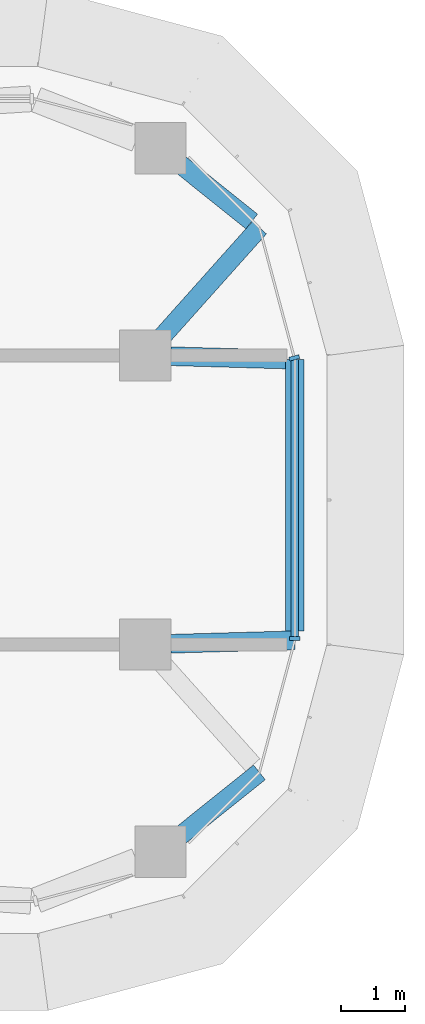
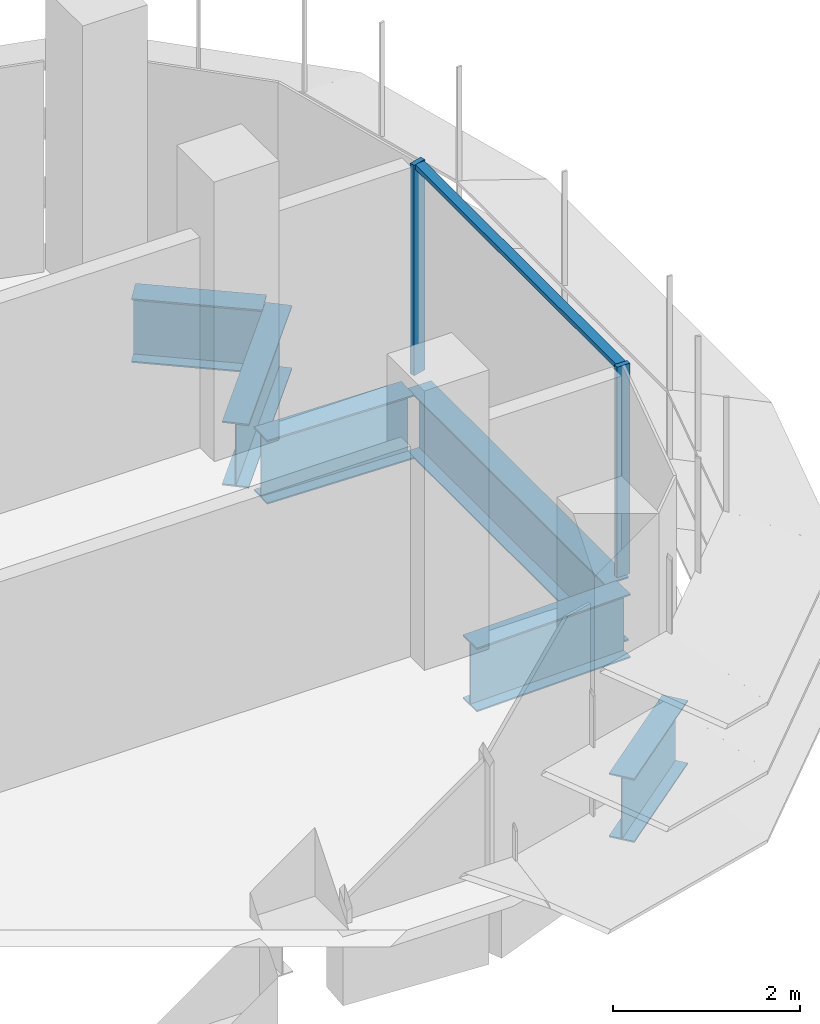
# One storey, part 10 of 20: 6 beams, 3 members, 2 elements without a shape of their own.
"""IFC4 building model written with IfcOpenShell, lengths in metres."""

from ifc_helpers import new_model, si_unit, direction, frame, origin, origin_2d, place, context, subcontext, project, spatial, polyline, i_section, outline, extrude, source, transform, mapped, material, material_profile, profile_set, type_object, element, aggregate, save


model = new_model("IFC4")

# Units and contexts
model_context = context("Model", 3, precision=1e-05, world=origin(), true_north=direction((0.0, 1.0)))
body_context = subcontext(model_context, "Body", "Model", "MODEL_VIEW")
ifc_project = project(units=[si_unit("LENGTHUNIT", "METRE"), si_unit("AREAUNIT", "SQUARE_METRE"), si_unit("VOLUMEUNIT", "CUBIC_METRE"), si_unit("PLANEANGLEUNIT", "RADIAN"), si_unit("MASSUNIT", "GRAM", prefix="KILO")], contexts=[model_context])

# Site, building, storey
site_placement = place(None, origin())
site = spatial("IfcSite", under=ifc_project, at=site_placement, CompositionType="ELEMENT")
building_placement = place(site_placement, origin())
building = spatial("IfcBuilding", under=site, at=building_placement, Name="Zarbagh Exchange Tower", CompositionType="ELEMENT")
storey_placement = place(building_placement, frame((0.0, 0.0, 141.0)))
storey = spatial("IfcBuildingStorey", under=building, at=storey_placement, Name="L33", CompositionType="ELEMENT", Elevation=141.0)

# Beams
ifc_material_1 = material(Name="Steel ASTM A992 Gr 50", Category="steel")
ifc_material_profile = material_profile(ifc_material_1, i_section(OverallWidth=0.2919921875, OverallDepth=0.835693359375, WebThickness=0.013916015625, FlangeThickness=0.018798828125, at=origin_2d()), Name="W33X118")
ifc_profile_set = profile_set([ifc_material_profile], Name="Steel ASTM A992 Gr 50")
beam_type = type_object("IfcBeamType", Name="Floor girder W33X118", PredefinedType="BEAM", material=ifc_profile_set)
beam_1_placement = place(storey_placement, frame((29.22021484375, 5.22509765625, -0.56787109375), z_axis=(0.780533236132, -0.625114283387, 0.0), x_axis=(0.625114283387, 0.780533236132, 0.0)))
element("IfcBeam", 1, at=beam_1_placement, inside=storey, type_object=beam_type, Name="Steel girder", PredefinedType="BEAM", context=body_context, shape_type="SweptSolid", body=[
    extrude(i_section(OverallWidth=0.2919921875, OverallDepth=0.835693359375, WebThickness=0.013916015625, FlangeThickness=0.018798828125, at=origin_2d()), origin(), (0.0, 0.0, 1.0), 1.420166015625),
])
beam_2_placement = place(storey_placement, frame((30.44873046875, 4.2412109375, -0.56787109375), z_axis=(-0.666191013206, -0.745781156857, 0.0), x_axis=(0.745781156857, -0.666191013206, 0.0)))
element("IfcBeam", 2, at=beam_2_placement, inside=storey, type_object=beam_type, Name="Steel girder", PredefinedType="BEAM", context=body_context, shape_type="SweptSolid", body=[
    extrude(i_section(OverallWidth=0.2919921875, OverallDepth=0.835693359375, WebThickness=0.013916015625, FlangeThickness=0.018798828125, at=origin_2d()), origin(), (0.0, 0.0, 1.0), 2.27001953125),
])
beam_3_placement = place(storey_placement, frame((29.06982421875, 2.23876953125, -0.56787109375), z_axis=(0.999600942558, -0.028248108547, 0.0), x_axis=(0.028248108547, 0.999600942558, 0.0)))
element("IfcBeam", 3, at=beam_3_placement, inside=storey, type_object=beam_type, Name="Steel girder", PredefinedType="BEAM", context=body_context, shape_type="SweptSolid", body=[
    extrude(i_section(OverallWidth=0.2919921875, OverallDepth=0.835693359375, WebThickness=0.013916015625, FlangeThickness=0.018798828125, at=origin_2d()), origin(), (0.0, 0.0, 1.0), 1.7890625),
])
beam_4_placement = place(storey_placement, frame((31.0, 2.18408203125, -0.56787109375), z_axis=(0.0, -1.0, 0.0), x_axis=(1.0, 0.0, 0.0)))
element("IfcBeam", 4, at=beam_4_placement, inside=storey, type_object=beam_type, Name="Steel girder", PredefinedType="BEAM", context=body_context, shape_type="SweptSolid", body=[
    extrude(i_section(OverallWidth=0.2919921875, OverallDepth=0.835693359375, WebThickness=0.013916015625, FlangeThickness=0.018798828125, at=origin_2d()), origin(), (0.0, 0.0, 1.0), 4.226318359375),
])
beam_5_placement = place(storey_placement, frame((31.0, -2.18408203125, -0.56787109375), z_axis=(-0.999598864551, -0.028321546377, 0.0), x_axis=(0.028321546377, -0.999598864551, 0.0)))
element("IfcBeam", 5, at=beam_5_placement, inside=storey, type_object=beam_type, Name="Steel girder", PredefinedType="BEAM", context=body_context, shape_type="SweptSolid", body=[
    extrude(i_section(OverallWidth=0.2919921875, OverallDepth=0.835693359375, WebThickness=0.013916015625, FlangeThickness=0.018798828125, at=origin_2d()), origin(), (0.0, 0.0, 1.0), 1.930908203125),
])
beam_6_placement = place(storey_placement, frame((30.44873046875, -4.2412109375, -0.56787109375), z_axis=(-0.780535770033, -0.625111119482, 0.0), x_axis=(0.625111119482, -0.780535770033, 0.0)))
element("IfcBeam", 6, at=beam_6_placement, inside=storey, type_object=beam_type, Name="Steel girder", PredefinedType="BEAM", context=body_context, shape_type="SweptSolid", body=[
    extrude(i_section(OverallWidth=0.2919921875, OverallDepth=0.835693359375, WebThickness=0.013916015625, FlangeThickness=0.018798828125, at=origin_2d()), origin(), (0.0, 0.0, 1.0), 1.573974609375),
])

# Curtain wall, member
ifc_material_2 = material(Name="Anodised aluminium frame and glazing", Category="aluminium")
curtain_wall_type = type_object("IfcCurtainWallType", Name="CWB Ribbon glazing, upper zones", PredefinedType="NOTDEFINED", material=ifc_material_2)
curtain_wall_1_placement = place(storey_placement, origin())
curtain_wall_1 = element("IfcCurtainWall", 7, at=curtain_wall_1_placement, inside=storey, type_object=curtain_wall_type, Name="CWB12 curtain wall", PredefinedType="NOTDEFINED")
ifc_material_3 = material(Name="Anodised aluminium frame", Category="aluminium")
member_type_1 = type_object("IfcMemberType", Name="MUB Mullion, anodised aluminium frame", PredefinedType="MULLION", material=ifc_material_3)
shared_shape_1 = source(origin(), body_context, "Body", "SweptSolid", [
    extrude(outline(polyline([(0.0, -0.080078125), (0.06005859375, -0.080078125), (0.06005859375, 0.080078125), (0.0, 0.080078125), (0.0, -0.080078125)])), origin(), (0.0, 0.0, 1.0), 2.75),
])
placement = place(storey_placement, origin())
member_1 = element("IfcMember", 8, at=placement, type_object=member_type_1, Name="CWB12 mullion 1.1", PredefinedType="MULLION", context=body_context, shape_type="MappedRepresentation", body=[
    mapped(shared_shape_1, transform((31.0, -2.18408203125, 0.0), x_axis=(0.0, 1.0, 0.0), y_axis=(-1.0, 0.0, 0.0), z_axis=(0.0, 0.0, 1.0))),
])

curtain_wall_2_placement = place(storey_placement, origin())
curtain_wall_2 = element("IfcCurtainWall", 9, at=curtain_wall_2_placement, inside=storey, type_object=curtain_wall_type, Name="CWB13 curtain wall", PredefinedType="NOTDEFINED")
member_2 = element("IfcMember", 10, at=placement, type_object=member_type_1, Name="CWB13 mullion 1.1", PredefinedType="MULLION", context=body_context, shape_type="MappedRepresentation", body=[
    mapped(shared_shape_1, transform((31.0, 2.18408203125, 0.0), x_axis=(-0.258824779902, 0.965924289636, 0.0), y_axis=(-0.965924289636, -0.258824779902, 0.0), z_axis=(0.0, 0.0, 1.0))),
])
aggregate(curtain_wall_2, [member_2])

# Member
member_type_2 = type_object("IfcMemberType", Name="TRB Transom, anodised aluminium frame", PredefinedType="USERDEFINED", material=ifc_material_3)
shared_shape_2 = source(origin(), body_context, "Body", "SweptSolid", [
    extrude(outline(polyline([(-0.06005859375, -0.06005859375), (0.0, -0.06005859375), (0.0, 0.06005859375), (-0.06005859375, 0.06005859375), (-0.06005859375, -0.06005859375)])), origin(), (0.0, 0.0, 1.0), 4.308349609375),
])
member_3 = element("IfcMember", 11, at=placement, type_object=member_type_2, Name="CWB12 transom 1.1", ObjectType="TRANSOM", PredefinedType="USERDEFINED", context=body_context, shape_type="MappedRepresentation", body=[
    mapped(shared_shape_2, transform((31.0, -2.124267578125, 2.75), x_axis=(0.0, 0.0, 1.0), y_axis=(1.0, 0.0, 0.0), z_axis=(0.0, 1.0, 0.0))),
])

aggregate(curtain_wall_1, [member_1, member_3])

save(model, "model.ifc")
